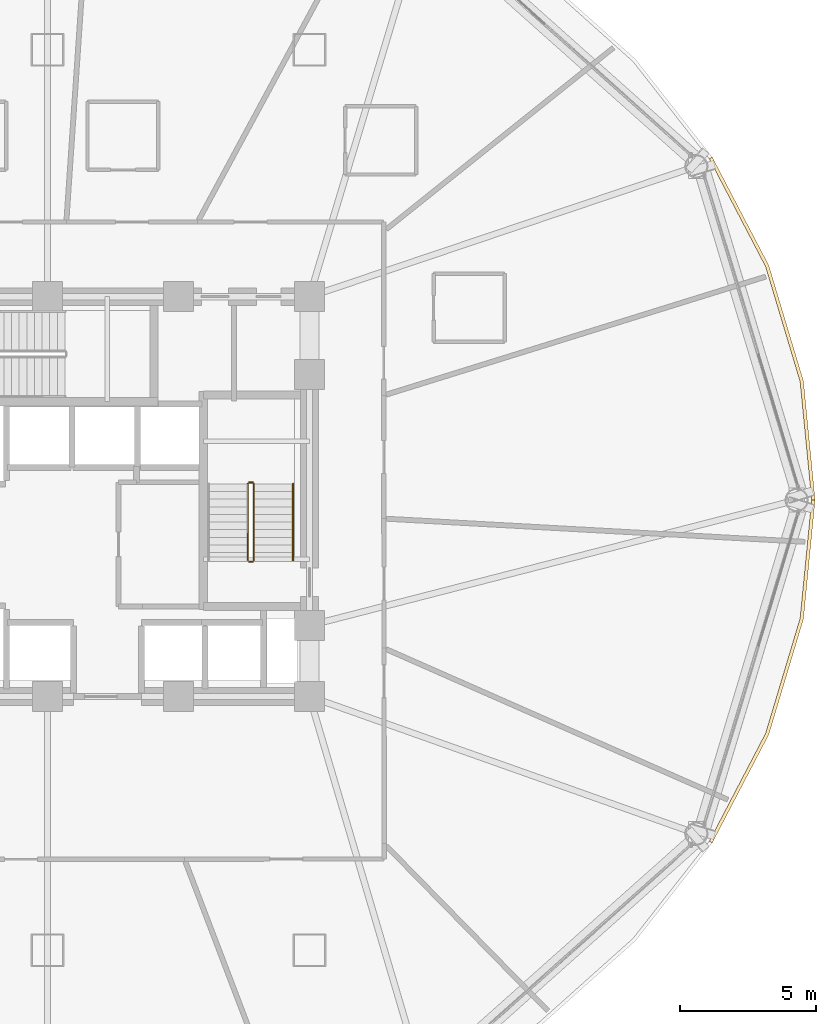
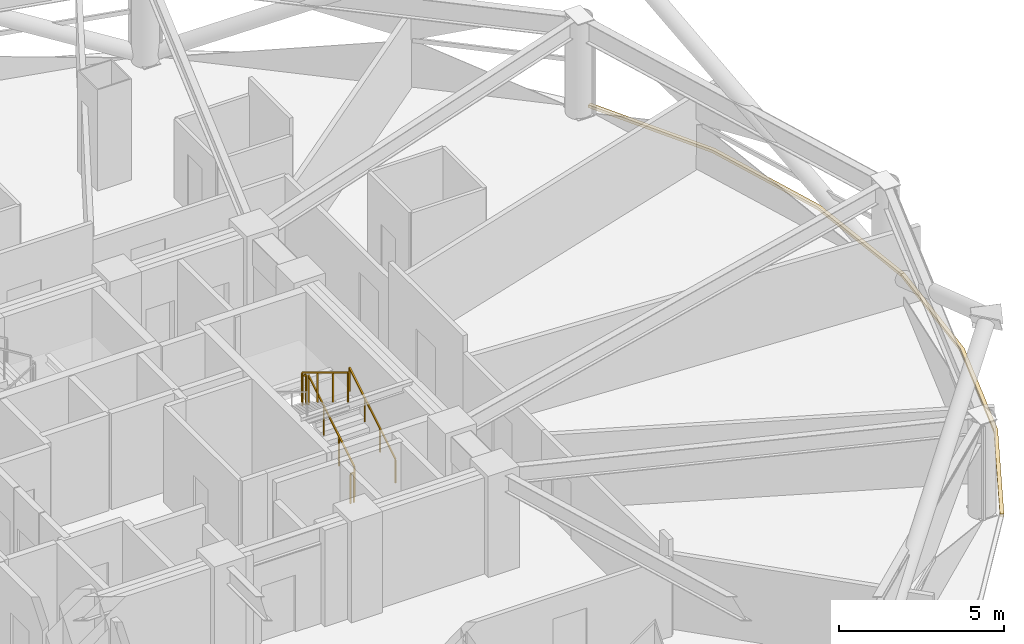
# One storey, part 29 of 30: 5 railings, 2 coverings.
"""IFC4 building model written with IfcOpenShell, lengths in metres."""

from ifc_helpers import new_model, si_unit, direction, frame, origin, origin_2d, place, context, subcontext, project, spatial, polyline, rectangle, outline, extrude, material, layer, layer_set, type_object, element, save


model = new_model("IFC4")

# Units and contexts
model_context = context("Model", 3, precision=1e-05, world=origin(), true_north=direction((0.0, 1.0)))
body_context = subcontext(model_context, "Body", "Model", "MODEL_VIEW")
ifc_project = project(units=[si_unit("LENGTHUNIT", "METRE"), si_unit("AREAUNIT", "SQUARE_METRE"), si_unit("VOLUMEUNIT", "CUBIC_METRE"), si_unit("PLANEANGLEUNIT", "RADIAN"), si_unit("MASSUNIT", "GRAM", prefix="KILO")], contexts=[model_context])

# Site, building, storey
site_placement = place(None, origin())
site = spatial("IfcSite", under=ifc_project, at=site_placement, CompositionType="ELEMENT")
building_placement = place(site_placement, origin())
building = spatial("IfcBuilding", under=site, at=building_placement, Name="Vantalir Tower", CompositionType="ELEMENT")
storey_placement = place(building_placement, frame((0.0, 0.0, 57.0)))
storey = spatial("IfcBuildingStorey", under=building, at=storey_placement, Name="L13", CompositionType="ELEMENT", Elevation=57.0)

# Coverings
ifc_material_1 = material(Name="Anodised champagne aluminium sill fascia", Category="aluminium")
ifc_layer = layer(ifc_material_1, 0.125)
ifc_layer_set = layer_set([ifc_layer], Name="Anodised champagne aluminium sill fascia")
covering_type = type_object("IfcCoveringType", Name="COV-SLAB-FASCIA-125", PredefinedType="CLADDING", material=ifc_layer_set)
covering_1_placement = place(storey_placement, frame((0.0, 0.0, -0.179931640625)))
element("IfcCovering", 1, at=covering_1_placement, inside=storey, type_object=covering_type, Name="L13 Perimeter Slab-Edge Sill Fascia 01", PredefinedType="CLADDING", context=body_context, shape_type="SweptSolid", body=[
    extrude(outline(polyline([(59.6259765625, 25.0), (59.198974609375, 29.363037109375), (57.929931640625, 33.593994140625), (55.85791015625, 37.56298828125), (55.75, 37.5), (57.81201171875, 33.551025390625), (59.075927734375, 29.341064453125), (59.5009765625, 25.0), (59.6259765625, 25.0)])), origin(), (0.0, 0.0, 1.0), 0.10498046875),
])
covering_2_placement = place(storey_placement, frame((0.0, 0.0, -0.179931640625)))
element("IfcCovering", 2, at=covering_2_placement, inside=storey, type_object=covering_type, Name="L13 Perimeter Slab-Edge Sill Fascia 12", PredefinedType="CLADDING", context=body_context, shape_type="SweptSolid", body=[
    extrude(outline(polyline([(55.85791015625, 12.43701171875), (57.929931640625, 16.406005859375), (59.198974609375, 20.636962890625), (59.6259765625, 25.0), (59.5009765625, 25.0), (59.075927734375, 20.658935546875), (57.81201171875, 16.448974609375), (55.75, 12.4990234375), (55.85791015625, 12.43701171875)])), origin(), (0.0, 0.0, 1.0), 0.10498046875),
])

# Railings
ifc_material_2 = material(Name="Anodised aluminium and stainless steel guard", Category="steel")
railing_type_1 = type_object("IfcRailingType", Name="RAL-GUARD-1120", PredefinedType="GUARDRAIL", material=ifc_material_2)
railing_1_placement = place(storey_placement, frame((39.06005859375, 22.7900390625, 0.17041015625)))
element("IfcRailing", 3, at=railing_1_placement, inside=storey, type_object=railing_type_1, Name="L13 ST2 stair guard 1", PredefinedType="GUARDRAIL", context=body_context, shape_type="SweptSolid", body=[
    extrude(rectangle(XDim=0.048095703125, YDim=0.048095703125, at=origin_2d()), frame((0.0, 0.0, 1.09619140625), z_axis=(0.0, 0.854169791009, 0.51999420009), x_axis=(-1.0, 0.0, 0.0)), (0.0, 0.0, 1.0), 3.278076171875),
    extrude(rectangle(XDim=0.0419921875, YDim=0.0419921875, at=origin_2d()), origin(), (0.0, 0.0, 1.0), 1.072021484375),
    extrude(rectangle(XDim=0.0419921875, YDim=0.0419921875, at=origin_2d()), frame((0.0, 0.933349609375, 0.568115234375)), (0.0, 0.0, 1.0), 1.072021484375),
    extrude(rectangle(XDim=0.0419921875, YDim=0.0419921875, at=origin_2d()), frame((0.0, 1.86669921875, 1.136474609375)), (0.0, 0.0, 1.0), 1.072021484375),
    extrude(rectangle(XDim=0.0419921875, YDim=0.0419921875, at=origin_2d()), frame((0.0, 2.800048828125, 1.70458984375)), (0.0, 0.0, 1.0), 1.072021484375),
])
railing_2_placement = place(storey_placement, frame((39.010009765625, 25.639892578125, 1.875)))
element("IfcRailing", 4, at=railing_2_placement, inside=storey, type_object=railing_type_1, Name="L13 ST2 stair guard 2", PredefinedType="GUARDRAIL", context=body_context, shape_type="SweptSolid", body=[
    extrude(rectangle(XDim=0.048095703125, YDim=0.048095703125, at=origin_2d()), frame((0.0, 0.0, 1.09619140625), z_axis=(-1.0, 0.0, 0.0), x_axis=(0.0, -1.0, 0.0)), (0.0, 0.0, 1.0), 0.1201171875),
    extrude(rectangle(XDim=0.0419921875, YDim=0.0419921875, at=origin_2d()), origin(), (0.0, 0.0, 1.0), 1.072021484375),
    extrude(rectangle(XDim=0.0419921875, YDim=0.0419921875, at=origin_2d()), frame((-0.1201171875, 0.0, 0.0)), (0.0, 0.0, 1.0), 1.072021484375),
])
railing_3_placement = place(storey_placement, frame((38.840087890625, 25.590087890625, 2.04541015625)))
element("IfcRailing", 5, at=railing_3_placement, inside=storey, type_object=railing_type_1, Name="L13 ST2 stair guard 3", PredefinedType="GUARDRAIL", context=body_context, shape_type="SweptSolid", body=[
    extrude(rectangle(XDim=0.048095703125, YDim=0.048095703125, at=origin_2d()), frame((0.0, 0.0, 1.09619140625), z_axis=(0.0, -0.854169791009, 0.51999420009), x_axis=(1.0, 0.0, 0.0)), (0.0, 0.0, 1.0), 3.278076171875),
    extrude(rectangle(XDim=0.0419921875, YDim=0.0419921875, at=origin_2d()), origin(), (0.0, 0.0, 1.0), 1.072021484375),
    extrude(rectangle(XDim=0.0419921875, YDim=0.0419921875, at=origin_2d()), frame((0.0, -0.933349609375, 0.568115234375)), (0.0, 0.0, 1.0), 1.072021484375),
    extrude(rectangle(XDim=0.0419921875, YDim=0.0419921875, at=origin_2d()), frame((0.0, -1.86669921875, 1.136474609375)), (0.0, 0.0, 1.0), 1.072021484375),
    extrude(rectangle(XDim=0.0419921875, YDim=0.0419921875, at=origin_2d()), frame((0.0, -2.800048828125, 1.70458984375)), (0.0, 0.0, 1.0), 1.072021484375),
])
railing_4_placement = place(storey_placement, frame((39.010009765625, 22.739990234375, 0.0)))
element("IfcRailing", 6, at=railing_4_placement, inside=storey, type_object=railing_type_1, Name="L13 ST2 stair guard 4", PredefinedType="GUARDRAIL", context=body_context, shape_type="SweptSolid", body=[
    extrude(rectangle(XDim=0.048095703125, YDim=0.048095703125, at=origin_2d()), frame((0.0, 0.0, 1.09619140625), z_axis=(-1.0, 0.0, 0.0), x_axis=(0.0, -1.0, 0.0)), (0.0, 0.0, 1.0), 0.1201171875),
    extrude(rectangle(XDim=0.0419921875, YDim=0.0419921875, at=origin_2d()), origin(), (0.0, 0.0, 1.0), 1.072021484375),
    extrude(rectangle(XDim=0.0419921875, YDim=0.0419921875, at=origin_2d()), frame((-0.1201171875, 0.0, 0.0)), (0.0, 0.0, 1.0), 1.072021484375),
])
ifc_material_3 = material(Name="Brushed stainless steel tubular handrail", Category="steel")
railing_type_2 = type_object("IfcRailingType", Name="RAL-HANDRAIL-900", PredefinedType="HANDRAIL", material=ifc_material_3)
railing_5_placement = place(storey_placement, frame((40.5, 22.7900390625, 0.17041015625)))
element("IfcRailing", 7, at=railing_5_placement, inside=storey, type_object=railing_type_2, Name="L13 ST2 stair handrail 1", PredefinedType="HANDRAIL", context=body_context, shape_type="SweptSolid", body=[
    extrude(rectangle(XDim=0.048095703125, YDim=0.048095703125, at=origin_2d()), frame((0.0, 0.0, 0.8759765625), z_axis=(0.0, 0.854169791009, 0.51999420009), x_axis=(-1.0, 0.0, 0.0)), (0.0, 0.0, 1.0), 3.278076171875),
    extrude(rectangle(XDim=0.0419921875, YDim=0.0419921875, at=origin_2d()), origin(), (0.0, 0.0, 1.0), 0.851806640625),
    extrude(rectangle(XDim=0.0419921875, YDim=0.0419921875, at=origin_2d()), frame((0.0, 0.933349609375, 0.568115234375)), (0.0, 0.0, 1.0), 0.851806640625),
    extrude(rectangle(XDim=0.0419921875, YDim=0.0419921875, at=origin_2d()), frame((0.0, 1.86669921875, 1.136474609375)), (0.0, 0.0, 1.0), 0.851806640625),
    extrude(rectangle(XDim=0.0419921875, YDim=0.0419921875, at=origin_2d()), frame((0.0, 2.800048828125, 1.70458984375)), (0.0, 0.0, 1.0), 0.851806640625),
])

save(model, "model.ifc")
